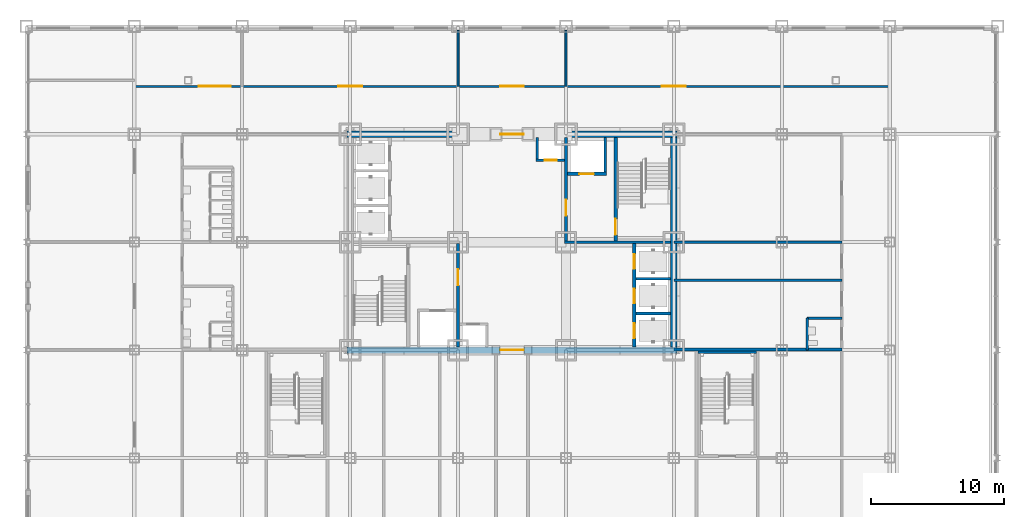
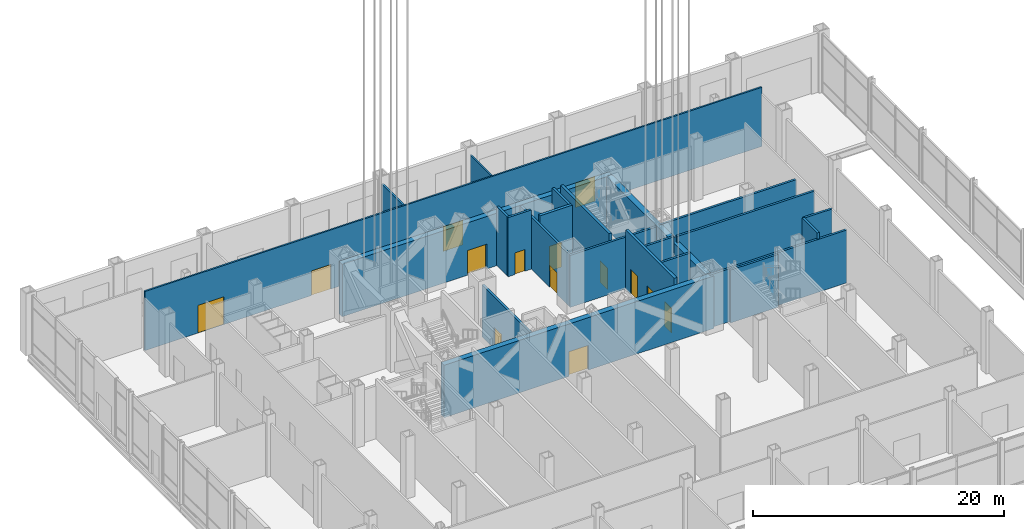
# One storey, part 25 of 35: 23 walls, 14 doors, 14 openings.
"""IFC4 building model written with IfcOpenShell, lengths in metres."""

from ifc_helpers import new_model, si_unit, direction, frame, frame_2d, origin, place, context, subcontext, project, spatial, rectangle, extrude, material, layer, layer_set, type_object, element, fill, save


model = new_model("IFC4")

# Units and contexts
model_context = context("Model", 3, precision=1e-05, world=origin(), true_north=direction((0.0, 1.0)))
body_context = subcontext(model_context, "Body", "Model", "MODEL_VIEW")
ifc_project = project(units=[si_unit("LENGTHUNIT", "METRE"), si_unit("AREAUNIT", "SQUARE_METRE"), si_unit("VOLUMEUNIT", "CUBIC_METRE"), si_unit("PLANEANGLEUNIT", "RADIAN"), si_unit("MASSUNIT", "GRAM", prefix="KILO")], contexts=[model_context])

# Site, building, storey
site_placement = place(None, origin())
site = spatial("IfcSite", under=ifc_project, at=site_placement, CompositionType="ELEMENT")
building_placement = place(site_placement, origin())
building = spatial("IfcBuilding", under=site, at=building_placement, Name="Kopane Lantern Tower", CompositionType="ELEMENT")
storey_placement = place(building_placement, origin())
storey = spatial("IfcBuildingStorey", under=building, at=storey_placement, Name="L00", CompositionType="ELEMENT", Elevation=0.0)

# Wall, opening, door
ifc_material_1 = material(Name="Gypsum shaft wall EI 120", Category="gypsum")
ifc_layer_1 = layer(ifc_material_1, 0.5)
ifc_layer_set_1 = layer_set([ifc_layer_1], Name="CORE PERIMETER WALL 500 EI 120")
wall_type_1 = type_object("IfcWallType", Name="CORE PERIMETER WALL 500 EI 120", PredefinedType="SOLIDWALL", material=ifc_layer_set_1)
wall_1_placement = place(storey_placement, frame((15.949951171875, 24.300048828125, 0.0), z_axis=(0.0, 0.0, 1.0), x_axis=(1.0, 0.0, 0.0)))
wall_1 = element("IfcWall", 1, at=wall_1_placement, inside=storey, type_object=wall_type_1, Name="Core shaft wall L00 PS", PredefinedType="SOLIDWALL", context=body_context, shape_type="SweptSolid", body=[
    extrude(rectangle(XDim=24.800048828125, YDim=0.5, at=frame_2d((12.39990234375, 0.0))), origin(), (0.0, 0.0, 1.0), 5.10009765625),
])
opening_1_placement = place(wall_1_placement, frame((11.5, 0.0, 0.0)))
opening_1 = element("IfcOpeningElement", 2, at=opening_1_placement, cuts=wall_1, Name="Opening 00.CE-S", PredefinedType="OPENING", context=body_context, shape_type="SweptSolid", body=[
    extrude(rectangle(XDim=1.800048828125, YDim=2.39990234375, at=frame_2d((0.89990234375, 1.199951171875))), frame((0.0, 0.260009765625, 0.0), z_axis=(0.0, -1.0, 0.0), x_axis=(1.0, 0.0, 0.0)), (0.0, 0.0, 1.0), 0.52001953125),
])
ifc_material_2 = material(Name="Steel door set", Category="steel")
door_type_1 = type_object("IfcDoorType", Name="CORE ENTRY DOOR 1800x2400 FD60S", OperationType="DOUBLE_DOOR_SINGLE_SWING", PredefinedType="DOOR", material=ifc_material_2)
door_1_placement = place(opening_1_placement, origin())
door_1 = element("IfcDoor", 3, at=door_1_placement, inside=storey, type_object=door_type_1, Name="Core entry door L00 south", OperationType="DOUBLE_DOOR_SINGLE_SWING", OverallHeight=2.39990234375, OverallWidth=1.800048828125, PredefinedType="DOOR", context=body_context, shape_type="SweptSolid", body=[
    extrude(rectangle(XDim=1.800048828125, YDim=2.39990234375, at=frame_2d((0.89990234375, 1.199951171875))), frame((0.0, 0.02490234375, 0.0), z_axis=(0.0, -1.0, 0.0), x_axis=(1.0, 0.0, 0.0)), (0.0, 0.0, 1.0), 0.050048828125),
])
fill(opening_1, door_1)

wall_2_placement = place(storey_placement, frame((15.949951171875, 40.5, 0.0), z_axis=(0.0, 0.0, 1.0), x_axis=(1.0, 0.0, 0.0)))
wall_2 = element("IfcWall", 4, at=wall_2_placement, inside=storey, type_object=wall_type_1, Name="Core shaft wall L00 PN", PredefinedType="SOLIDWALL", context=body_context, shape_type="SweptSolid", body=[
    extrude(rectangle(XDim=24.800048828125, YDim=0.5, at=frame_2d((12.39990234375, 0.0))), origin(), (0.0, 0.0, 1.0), 5.10009765625),
])
opening_2_placement = place(wall_2_placement, frame((11.5, 0.0, 0.0)))
opening_2 = element("IfcOpeningElement", 5, at=opening_2_placement, cuts=wall_2, Name="Opening 00.CE-N", PredefinedType="OPENING", context=body_context, shape_type="SweptSolid", body=[
    extrude(rectangle(XDim=1.800048828125, YDim=2.39990234375, at=frame_2d((0.89990234375, 1.199951171875))), frame((0.0, 0.260009765625, 0.0), z_axis=(0.0, -1.0, 0.0), x_axis=(1.0, 0.0, 0.0)), (0.0, 0.0, 1.0), 0.52001953125),
])
door_2_placement = place(opening_2_placement, origin())
door_2 = element("IfcDoor", 6, at=door_2_placement, inside=storey, type_object=door_type_1, Name="Core entry door L00 north", OperationType="DOUBLE_DOOR_SINGLE_SWING", OverallHeight=2.39990234375, OverallWidth=1.800048828125, PredefinedType="DOOR", context=body_context, shape_type="SweptSolid", body=[
    extrude(rectangle(XDim=1.800048828125, YDim=2.39990234375, at=frame_2d((0.89990234375, 1.199951171875))), frame((0.0, 0.02490234375, 0.0), z_axis=(0.0, -1.0, 0.0), x_axis=(1.0, 0.0, 0.0)), (0.0, 0.0, 1.0), 0.050048828125),
])
fill(opening_2, door_2)

# Wall
wall_3_placement = place(storey_placement, frame((40.5, 24.550048828125, 0.0), z_axis=(0.0, 0.0, 1.0), x_axis=(0.0, 1.0, 0.0)))
element("IfcWall", 7, at=wall_3_placement, inside=storey, type_object=wall_type_1, Name="Core shaft wall L00 PE", PredefinedType="SOLIDWALL", context=body_context, shape_type="SweptSolid", body=[
    extrude(rectangle(XDim=15.699951171875, YDim=0.5, at=frame_2d((7.85009765625, 0.0))), origin(), (0.0, 0.0, 1.0), 5.1376953125),
])

# Wall, openings, doors
ifc_material_3 = material(Name="Gypsum shaft wall EI 120", Category="gypsum")
ifc_layer_2 = layer(ifc_material_3, 0.25)
ifc_layer_set_2 = layer_set([ifc_layer_2], Name="CORE SHAFT WALL 250 EI 120")
wall_type_2 = type_object("IfcWallType", Name="CORE SHAFT WALL 250 EI 120", PredefinedType="SOLIDWALL", material=ifc_layer_set_2)
wall_4_placement = place(storey_placement, frame((37.52490234375, 24.550048828125, 0.0), z_axis=(0.0, 0.0, 1.0), x_axis=(0.0, 1.0, 0.0)))
wall_4 = element("IfcWall", 8, at=wall_4_placement, inside=storey, type_object=wall_type_2, Name="Core shaft wall L00 XLR", PredefinedType="SOLIDWALL", context=body_context, shape_type="SweptSolid", body=[
    extrude(rectangle(XDim=7.75, YDim=0.25, at=frame_2d((3.875, 0.0))), origin(), (0.0, 0.0, 1.0), 5.75),
])
opening_3_placement = place(wall_4_placement, frame((0.64990234375, 0.0, 0.0)))
opening_3 = element("IfcOpeningElement", 9, at=opening_3_placement, cuts=wall_4, Name="Opening 00.LD-LR1", PredefinedType="OPENING", context=body_context, shape_type="SweptSolid", body=[
    extrude(rectangle(XDim=1.10009765625, YDim=2.39990234375, at=frame_2d((0.550048828125, 1.199951171875))), frame((0.0, 0.135009765625, 0.0), z_axis=(0.0, -1.0, 0.0), x_axis=(1.0, 0.0, 0.0)), (0.0, 0.0, 1.0), 0.27001953125),
])
opening_4_placement = place(wall_4_placement, frame((3.25, 0.0, 0.0)))
opening_4 = element("IfcOpeningElement", 10, at=opening_4_placement, cuts=wall_4, Name="Opening 00.LD-LR2", PredefinedType="OPENING", context=body_context, shape_type="SweptSolid", body=[
    extrude(rectangle(XDim=1.10009765625, YDim=2.39990234375, at=frame_2d((0.550048828125, 1.199951171875))), frame((0.0, 0.135009765625, 0.0), z_axis=(0.0, -1.0, 0.0), x_axis=(1.0, 0.0, 0.0)), (0.0, 0.0, 1.0), 0.27001953125),
])
opening_5_placement = place(wall_4_placement, frame((5.85009765625, 0.0, 0.0)))
opening_5 = element("IfcOpeningElement", 11, at=opening_5_placement, cuts=wall_4, Name="Opening 00.LD-LR3", PredefinedType="OPENING", context=body_context, shape_type="SweptSolid", body=[
    extrude(rectangle(XDim=1.10009765625, YDim=2.39990234375, at=frame_2d((0.550048828125, 1.199951171875))), frame((0.0, 0.135009765625, 0.0), z_axis=(0.0, -1.0, 0.0), x_axis=(1.0, 0.0, 0.0)), (0.0, 0.0, 1.0), 0.27001953125),
])
ifc_material_4 = material(Name="Steel door set", Category="steel")
door_type_2 = type_object("IfcDoorType", Name="LIFT LANDING DOOR 1100x2400 FD60", OperationType="DOUBLE_DOOR_SLIDING", PredefinedType="DOOR", material=ifc_material_4)
door_3_placement = place(opening_3_placement, origin())
door_3 = element("IfcDoor", 12, at=door_3_placement, inside=storey, type_object=door_type_2, Name="Landing door LR1 L00", OperationType="DOUBLE_DOOR_SLIDING", OverallHeight=2.39990234375, OverallWidth=1.10009765625, PredefinedType="DOOR", context=body_context, shape_type="SweptSolid", body=[
    extrude(rectangle(XDim=1.10009765625, YDim=2.39990234375, at=frame_2d((0.550048828125, 1.199951171875))), frame((0.0, 0.02490234375, 0.0), z_axis=(0.0, -1.0, 0.0), x_axis=(1.0, 0.0, 0.0)), (0.0, 0.0, 1.0), 0.050048828125),
])
fill(opening_3, door_3)
door_4_placement = place(opening_4_placement, origin())
door_4 = element("IfcDoor", 13, at=door_4_placement, inside=storey, type_object=door_type_2, Name="Landing door LR2 L00", OperationType="DOUBLE_DOOR_SLIDING", OverallHeight=2.39990234375, OverallWidth=1.10009765625, PredefinedType="DOOR", context=body_context, shape_type="SweptSolid", body=[
    extrude(rectangle(XDim=1.10009765625, YDim=2.39990234375, at=frame_2d((0.550048828125, 1.199951171875))), frame((0.0, 0.02490234375, 0.0), z_axis=(0.0, -1.0, 0.0), x_axis=(1.0, 0.0, 0.0)), (0.0, 0.0, 1.0), 0.050048828125),
])
fill(opening_4, door_4)
door_5_placement = place(opening_5_placement, origin())
door_5 = element("IfcDoor", 14, at=door_5_placement, inside=storey, type_object=door_type_2, Name="Landing door LR3 L00", OperationType="DOUBLE_DOOR_SLIDING", OverallHeight=2.39990234375, OverallWidth=1.10009765625, PredefinedType="DOOR", context=body_context, shape_type="SweptSolid", body=[
    extrude(rectangle(XDim=1.10009765625, YDim=2.39990234375, at=frame_2d((0.550048828125, 1.199951171875))), frame((0.0, 0.02490234375, 0.0), z_axis=(0.0, -1.0, 0.0), x_axis=(1.0, 0.0, 0.0)), (0.0, 0.0, 1.0), 0.050048828125),
])
fill(opening_5, door_5)

# Wall, opening, door
wall_5_placement = place(storey_placement, frame((36.125, 32.5, 0.0), z_axis=(0.0, 0.0, 1.0), x_axis=(0.0, 1.0, 0.0)))
wall_5 = element("IfcWall", 15, at=wall_5_placement, inside=storey, type_object=wall_type_2, Name="Core shaft wall L00 XST2", PredefinedType="SOLIDWALL", context=body_context, shape_type="SweptSolid", body=[
    extrude(rectangle(XDim=7.75, YDim=0.25, at=frame_2d((3.875, 0.0))), origin(), (0.0, 0.0, 1.0), 5.75),
])
opening_6_placement = place(wall_5_placement, frame((0.449951171875, 0.0, 0.0)))
opening_6 = element("IfcOpeningElement", 16, at=opening_6_placement, cuts=wall_5, Name="Opening 00.SD2", PredefinedType="OPENING", context=body_context, shape_type="SweptSolid", body=[
    extrude(rectangle(XDim=1.199951171875, YDim=2.10009765625, at=frame_2d((0.60009765625, 1.050048828125))), frame((0.0, 0.135009765625, 0.0), z_axis=(0.0, -1.0, 0.0), x_axis=(1.0, 0.0, 0.0)), (0.0, 0.0, 1.0), 0.27001953125),
])
ifc_material_5 = material(Name="Steel door set", Category="steel")
door_type_3 = type_object("IfcDoorType", Name="STAIR DOOR 1200x2100 FD60S", OperationType="SINGLE_SWING_LEFT", PredefinedType="DOOR", material=ifc_material_5)
door_6_placement = place(opening_6_placement, origin())
door_6 = element("IfcDoor", 17, at=door_6_placement, inside=storey, type_object=door_type_3, Name="Stair door ST2 L00", OperationType="SINGLE_SWING_RIGHT", OverallHeight=2.10009765625, OverallWidth=1.199951171875, PredefinedType="DOOR", context=body_context, shape_type="SweptSolid", body=[
    extrude(rectangle(XDim=1.199951171875, YDim=2.10009765625, at=frame_2d((0.60009765625, 1.050048828125))), frame((0.0, 0.02490234375, 0.0), z_axis=(0.0, -1.0, 0.0), x_axis=(1.0, 0.0, 0.0)), (0.0, 0.0, 1.0), 0.050048828125),
])
fill(opening_6, door_6)

wall_6_placement = place(storey_placement, frame((32.5, 37.52490234375, 0.0), z_axis=(0.0, 0.0, 1.0), x_axis=(1.0, 0.0, 0.0)))
wall_6 = element("IfcWall", 18, at=wall_6_placement, inside=storey, type_object=wall_type_2, Name="Core shaft wall L00 YLF2", PredefinedType="SOLIDWALL", context=body_context, shape_type="SweptSolid", body=[
    extrude(rectangle(XDim=2.949951171875, YDim=0.25, at=frame_2d((1.47509765625, 0.0))), origin(), (0.0, 0.0, 1.0), 5.75),
])
opening_7_placement = place(wall_6_placement, frame((0.89990234375, 0.0, 0.0)))
opening_7 = element("IfcOpeningElement", 19, at=opening_7_placement, cuts=wall_6, Name="Opening 00.LD-LF2", PredefinedType="OPENING", context=body_context, shape_type="SweptSolid", body=[
    extrude(rectangle(XDim=1.10009765625, YDim=2.39990234375, at=frame_2d((0.550048828125, 1.199951171875))), frame((0.0, 0.135009765625, 0.0), z_axis=(0.0, -1.0, 0.0), x_axis=(1.0, 0.0, 0.0)), (0.0, 0.0, 1.0), 0.27001953125),
])
door_7_placement = place(opening_7_placement, origin())
door_7 = element("IfcDoor", 20, at=door_7_placement, inside=storey, type_object=door_type_2, Name="Landing door LF2 L00", OperationType="DOUBLE_DOOR_SLIDING", OverallHeight=2.39990234375, OverallWidth=1.10009765625, PredefinedType="DOOR", context=body_context, shape_type="SweptSolid", body=[
    extrude(rectangle(XDim=1.10009765625, YDim=2.39990234375, at=frame_2d((0.550048828125, 1.199951171875))), frame((0.0, 0.02490234375, 0.0), z_axis=(0.0, -1.0, 0.0), x_axis=(1.0, 0.0, 0.0)), (0.0, 0.0, 1.0), 0.050048828125),
])
fill(opening_7, door_7)

# Wall, openings, doors
ifc_material_6 = material(Name="Gypsum board on steel studs", Category="steel")
ifc_layer_3 = layer(ifc_material_6, 0.14990234375)
ifc_layer_set_3 = layer_set([ifc_layer_3], Name="CORRIDOR WALL 150 EI 60")
wall_type_3 = type_object("IfcWallType", Name="CORRIDOR WALL 150 EI 60", PredefinedType="PARTITIONING", material=ifc_layer_set_3)
wall_7_placement = place(storey_placement, frame((0.0, 44.10009765625, 0.0), z_axis=(0.0, 0.0, 1.0), x_axis=(1.0, 0.0, 0.0)))
wall_7 = element("IfcWall", 21, at=wall_7_placement, inside=storey, type_object=wall_type_3, Name="Corridor Wall 150 Ei 60 L00", PredefinedType="PARTITIONING", context=body_context, shape_type="SweptSolid", body=[
    extrude(rectangle(XDim=56.699951171875, YDim=0.14990234375, at=frame_2d((28.35009765625, 0.0))), origin(), (0.0, 0.0, 1.0), 5.75),
])
opening_8_placement = place(wall_7_placement, frame((15.300048828125, 0.0, 0.0)))
opening_8 = element("IfcOpeningElement", 22, at=opening_8_placement, cuts=wall_7, Name="Opening L00-020", PredefinedType="OPENING", context=body_context, shape_type="SweptSolid", body=[
    extrude(rectangle(XDim=1.800048828125, YDim=2.39990234375, at=frame_2d((0.89990234375, 1.199951171875))), frame((0.0, 0.0849609375, 0.0), z_axis=(0.0, -1.0, 0.0), x_axis=(1.0, 0.0, 0.0)), (0.0, 0.0, 1.0), 0.169921875),
])
opening_9_placement = place(wall_7_placement, frame((27.449951171875, 0.0, 0.0)))
opening_9 = element("IfcOpeningElement", 23, at=opening_9_placement, cuts=wall_7, Name="Opening L00-021", PredefinedType="OPENING", context=body_context, shape_type="SweptSolid", body=[
    extrude(rectangle(XDim=1.800048828125, YDim=2.39990234375, at=frame_2d((0.89990234375, 1.199951171875))), frame((0.0, 0.0849609375, 0.0), z_axis=(0.0, -1.0, 0.0), x_axis=(1.0, 0.0, 0.0)), (0.0, 0.0, 1.0), 0.169921875),
])
opening_10_placement = place(wall_7_placement, frame((39.60009765625, 0.0, 0.0)))
opening_10 = element("IfcOpeningElement", 24, at=opening_10_placement, cuts=wall_7, Name="Opening L00-022", PredefinedType="OPENING", context=body_context, shape_type="SweptSolid", body=[
    extrude(rectangle(XDim=1.800048828125, YDim=2.39990234375, at=frame_2d((0.89990234375, 1.199951171875))), frame((0.0, 0.0849609375, 0.0), z_axis=(0.0, -1.0, 0.0), x_axis=(1.0, 0.0, 0.0)), (0.0, 0.0, 1.0), 0.169921875),
])
opening_11_placement = place(wall_7_placement, frame((4.85009765625, 0.0, 0.0)))
opening_11 = element("IfcOpeningElement", 25, at=opening_11_placement, cuts=wall_7, Name="Opening L00-029", PredefinedType="OPENING", context=body_context, shape_type="SweptSolid", body=[
    extrude(rectangle(XDim=2.39990234375, YDim=2.699951171875, at=frame_2d((1.199951171875, 1.35009765625))), frame((0.0, 0.0849609375, 0.0), z_axis=(0.0, -1.0, 0.0), x_axis=(1.0, 0.0, 0.0)), (0.0, 0.0, 1.0), 0.169921875),
])
ifc_material_7 = material(Name="Steel door set", Category="steel")
door_type_4 = type_object("IfcDoorType", Name="DOOR D6 1800x2400 FD30S", OperationType="SINGLE_SWING_LEFT", PredefinedType="DOOR", material=ifc_material_7)
door_8_placement = place(opening_8_placement, origin())
door_8 = element("IfcDoor", 26, at=door_8_placement, inside=storey, type_object=door_type_4, Name="Door L00-020", OperationType="DOUBLE_DOOR_SINGLE_SWING", OverallHeight=2.39990234375, OverallWidth=1.800048828125, PredefinedType="DOOR", context=body_context, shape_type="SweptSolid", body=[
    extrude(rectangle(XDim=1.800048828125, YDim=2.39990234375, at=frame_2d((0.89990234375, 1.199951171875))), frame((0.0, 0.02490234375, 0.0), z_axis=(0.0, -1.0, 0.0), x_axis=(1.0, 0.0, 0.0)), (0.0, 0.0, 1.0), 0.050048828125),
])
fill(opening_8, door_8)
ifc_material_8 = material(Name="Timber door set", Category="wood")
door_type_5 = type_object("IfcDoorType", Name="DOOR D7 2400x2700 SHOPFRONT", OperationType="SINGLE_SWING_LEFT", PredefinedType="DOOR", material=ifc_material_8)
door_9_placement = place(opening_11_placement, origin())
door_9 = element("IfcDoor", 27, at=door_9_placement, inside=storey, type_object=door_type_5, Name="Door L00-029", OperationType="DOUBLE_DOOR_SINGLE_SWING", OverallHeight=2.699951171875, OverallWidth=2.39990234375, PredefinedType="DOOR", context=body_context, shape_type="SweptSolid", body=[
    extrude(rectangle(XDim=2.39990234375, YDim=2.699951171875, at=frame_2d((1.199951171875, 1.35009765625))), frame((0.0, 0.02490234375, 0.0), z_axis=(0.0, -1.0, 0.0), x_axis=(1.0, 0.0, 0.0)), (0.0, 0.0, 1.0), 0.050048828125),
])
fill(opening_11, door_9)
ifc_material_9 = material(Name="Steel door set", Category="steel")
door_type_6 = type_object("IfcDoorType", Name="DOOR D8 1800x2400 FD120", OperationType="SINGLE_SWING_LEFT", PredefinedType="DOOR", material=ifc_material_9)
door_10_placement = place(opening_9_placement, origin())
door_10 = element("IfcDoor", 28, at=door_10_placement, inside=storey, type_object=door_type_6, Name="Door L00-021", OperationType="DOUBLE_DOOR_SINGLE_SWING", OverallHeight=2.39990234375, OverallWidth=1.800048828125, PredefinedType="DOOR", context=body_context, shape_type="SweptSolid", body=[
    extrude(rectangle(XDim=1.800048828125, YDim=2.39990234375, at=frame_2d((0.89990234375, 1.199951171875))), frame((0.0, 0.02490234375, 0.0), z_axis=(0.0, -1.0, 0.0), x_axis=(1.0, 0.0, 0.0)), (0.0, 0.0, 1.0), 0.050048828125),
])
fill(opening_9, door_10)
door_11_placement = place(opening_10_placement, origin())
door_11 = element("IfcDoor", 29, at=door_11_placement, inside=storey, type_object=door_type_6, Name="Door L00-022", OperationType="DOUBLE_DOOR_SINGLE_SWING", OverallHeight=2.39990234375, OverallWidth=1.800048828125, PredefinedType="DOOR", context=body_context, shape_type="SweptSolid", body=[
    extrude(rectangle(XDim=1.800048828125, YDim=2.39990234375, at=frame_2d((0.89990234375, 1.199951171875))), frame((0.0, 0.02490234375, 0.0), z_axis=(0.0, -1.0, 0.0), x_axis=(1.0, 0.0, 0.0)), (0.0, 0.0, 1.0), 0.050048828125),
])
fill(opening_10, door_11)

# Walls
ifc_material_10 = material(Name="Gypsum board on steel studs", Category="steel")
ifc_layer_4 = layer(ifc_material_10, 0.14990234375)
ifc_layer_set_4 = layer_set([ifc_layer_4], Name="DEMISING WALL 150 EI 60")
wall_type_4 = type_object("IfcWallType", Name="DEMISING WALL 150 EI 60", PredefinedType="PARTITIONING", material=ifc_layer_set_4)
for number, where, z_axis, x_axis, name in (
    (30, (24.300048828125, 44.10009765625, 0.0), (0.0, 0.0, 1.0), (0.0, 1.0, 0.0), "Demising Wall 150 Ei 60 L00"),
    (31, (32.39990234375, 44.10009765625, 0.0), (0.0, 0.0, 1.0), (0.0, 1.0, 0.0), "Demising Wall 150 Ei 60 L00"),
):
    element("IfcWall", number, at=place(storey_placement, frame(where, z_axis=z_axis, x_axis=x_axis)), inside=storey, type_object=wall_type_4, Name=name, PredefinedType="PARTITIONING", context=body_context, shape_type="SweptSolid", body=[
        extrude(rectangle(XDim=4.199951171875, YDim=0.14990234375, at=frame_2d((2.10009765625, 0.0))), origin(), (0.0, 0.0, 1.0), 5.1376953125),
    ])
ifc_material_11 = material(Name="Concrete masonry", Category="masonry")
ifc_layer_5 = layer(ifc_material_11, 0.199951171875)
ifc_layer_set_5 = layer_set([ifc_layer_5], Name="PLANT ROOM WALL 200 EI 120")
wall_type_5 = type_object("IfcWallType", Name="PLANT ROOM WALL 200 EI 120", PredefinedType="SOLIDWALL", material=ifc_layer_set_5)
wall_8_placement = place(storey_placement, frame((40.5, 32.39990234375, 0.0), z_axis=(0.0, 0.0, 1.0), x_axis=(1.0, 0.0, 0.0)))
element("IfcWall", 32, at=wall_8_placement, inside=storey, type_object=wall_type_5, Name="Plant Room Wall 200 Ei 120 L00", PredefinedType="SOLIDWALL", context=body_context, shape_type="SweptSolid", body=[
    extrude(rectangle(XDim=12.60009765625, YDim=0.199951171875, at=frame_2d((6.300048828125, 0.0))), origin(), (0.0, 0.0, 1.0), 5.1376953125),
])
wall_9_placement = place(storey_placement, frame((53.10009765625, 26.699951171875, 0.0), z_axis=(0.0, 0.0, 1.0), x_axis=(-1.0, 0.0, 0.0)))
element("IfcWall", 33, at=wall_9_placement, inside=storey, type_object=wall_type_5, Name="Plant Room Wall 200 Ei 120 L00", PredefinedType="SOLIDWALL", context=body_context, shape_type="SweptSolid", body=[
    extrude(rectangle(XDim=2.60009765625, YDim=0.199951171875, at=frame_2d((1.300048828125, 0.0))), origin(), (0.0, 0.0, 1.0), 5.75),
])
wall_10_placement = place(storey_placement, frame((50.5, 24.300048828125, 0.0), z_axis=(0.0, 0.0, 1.0), x_axis=(0.0, 1.0, 0.0)))
element("IfcWall", 34, at=wall_10_placement, inside=storey, type_object=wall_type_5, Name="Plant Room Wall 200 Ei 120 L00", PredefinedType="SOLIDWALL", context=body_context, shape_type="SweptSolid", body=[
    extrude(rectangle(XDim=2.39990234375, YDim=0.199951171875, at=frame_2d((1.199951171875, 0.0))), origin(), (0.0, 0.0, 1.0), 5.75),
])
wall_11_placement = place(storey_placement, frame((53.10009765625, 29.550048828125, 0.0), z_axis=(0.0, 0.0, 1.0), x_axis=(-1.0, 0.0, 0.0)))
element("IfcWall", 35, at=wall_11_placement, inside=storey, type_object=wall_type_5, Name="Plant Room Wall 200 Ei 120 L00", PredefinedType="SOLIDWALL", context=body_context, shape_type="SweptSolid", body=[
    extrude(rectangle(XDim=12.60009765625, YDim=0.199951171875, at=frame_2d((6.300048828125, 0.0))), origin(), (0.0, 0.0, 1.0), 5.75),
])
wall_12_placement = place(storey_placement, frame((40.5, 24.35009765625, 0.0), z_axis=(0.0, 0.0, 1.0), x_axis=(1.0, 0.0, 0.0)))
element("IfcWall", 36, at=wall_12_placement, inside=storey, type_object=wall_type_5, Name="Plant Room Wall 200 Ei 120 L00", PredefinedType="SOLIDWALL", context=body_context, shape_type="SweptSolid", body=[
    extrude(rectangle(XDim=12.60009765625, YDim=0.199951171875, at=frame_2d((6.300048828125, 0.0))), origin(), (0.0, 0.0, 1.0), 5.1376953125),
])

# Wall, opening, door
ifc_material_12 = material(Name="Gypsum shaft wall EI 120", Category="gypsum")
ifc_layer_6 = layer(ifc_material_12, 0.199951171875)
ifc_layer_set_6 = layer_set([ifc_layer_6], Name="SHAFT WALL 200 EI 120")
wall_type_6 = type_object("IfcWallType", Name="SHAFT WALL 200 EI 120", PredefinedType="SOLIDWALL", material=ifc_layer_set_6)
wall_13_placement = place(storey_placement, frame((24.300048828125, 24.550048828125, 0.0), z_axis=(0.0, 0.0, 1.0), x_axis=(0.0, 1.0, 0.0)))
wall_13 = element("IfcWall", 37, at=wall_13_placement, inside=storey, type_object=wall_type_6, Name="Core shaft wall L00 X243", PredefinedType="SOLIDWALL", context=body_context, shape_type="SweptSolid", body=[
    extrude(rectangle(XDim=7.75, YDim=0.199951171875, at=frame_2d((3.875, 0.0))), origin(), (0.0, 0.0, 1.0), 5.050048828125),
])
opening_12_placement = place(wall_13_placement, frame((4.60009765625, 0.0, 0.0)))
opening_12 = element("IfcOpeningElement", 38, at=opening_12_placement, cuts=wall_13, Name="Opening 00.FL1", PredefinedType="OPENING", context=body_context, shape_type="SweptSolid", body=[
    extrude(rectangle(XDim=1.199951171875, YDim=2.10009765625, at=frame_2d((0.60009765625, 1.050048828125))), frame((0.0, 0.10986328125, 0.0), z_axis=(0.0, -1.0, 0.0), x_axis=(1.0, 0.0, 0.0)), (0.0, 0.0, 1.0), 0.219970703125),
])
ifc_material_13 = material(Name="Steel door set", Category="steel")
door_type_7 = type_object("IfcDoorType", Name="FIREFIGHTING LOBBY DOOR 1200x2100 FD60S", OperationType="SINGLE_SWING_RIGHT", PredefinedType="DOOR", material=ifc_material_13)
door_12_placement = place(opening_12_placement, origin())
door_12 = element("IfcDoor", 39, at=door_12_placement, inside=storey, type_object=door_type_7, Name="Firefighting lobby door FL1 L00", OperationType="SINGLE_SWING_LEFT", OverallHeight=2.10009765625, OverallWidth=1.199951171875, PredefinedType="DOOR", context=body_context, shape_type="SweptSolid", body=[
    extrude(rectangle(XDim=1.199951171875, YDim=2.10009765625, at=frame_2d((0.60009765625, 1.050048828125))), frame((0.0, 0.02490234375, 0.0), z_axis=(0.0, -1.0, 0.0), x_axis=(1.0, 0.0, 0.0)), (0.0, 0.0, 1.0), 0.050048828125),
])
fill(opening_12, door_12)

# Wall
wall_14_placement = place(storey_placement, frame((32.300048828125, 32.39990234375, 0.0), z_axis=(0.0, 0.0, 1.0), x_axis=(1.0, 0.0, 0.0)))
element("IfcWall", 40, at=wall_14_placement, inside=storey, type_object=wall_type_6, Name="Core shaft wall L00 Y324E", PredefinedType="SOLIDWALL", context=body_context, shape_type="SweptSolid", body=[
    extrude(rectangle(XDim=7.949951171875, YDim=0.199951171875, at=frame_2d((3.97509765625, 0.0))), origin(), (0.0, 0.0, 1.0), 5.050048828125),
])

# Wall, opening, door
wall_15_placement = place(storey_placement, frame((32.39990234375, 32.5, 0.0), z_axis=(0.0, 0.0, 1.0), x_axis=(0.0, 1.0, 0.0)))
wall_15 = element("IfcWall", 41, at=wall_15_placement, inside=storey, type_object=wall_type_6, Name="Core shaft wall L00 X324", PredefinedType="SOLIDWALL", context=body_context, shape_type="SweptSolid", body=[
    extrude(rectangle(XDim=7.75, YDim=0.199951171875, at=frame_2d((3.875, 0.0))), origin(), (0.0, 0.0, 1.0), 5.050048828125),
])
opening_13_placement = place(wall_15_placement, frame((1.89990234375, 0.0, 0.0)))
opening_13 = element("IfcOpeningElement", 42, at=opening_13_placement, cuts=wall_15, Name="Opening 00.FL2", PredefinedType="OPENING", context=body_context, shape_type="SweptSolid", body=[
    extrude(rectangle(XDim=1.199951171875, YDim=2.10009765625, at=frame_2d((0.60009765625, 1.050048828125))), frame((0.0, 0.10986328125, 0.0), z_axis=(0.0, -1.0, 0.0), x_axis=(1.0, 0.0, 0.0)), (0.0, 0.0, 1.0), 0.219970703125),
])
door_13_placement = place(opening_13_placement, origin())
door_13 = element("IfcDoor", 43, at=door_13_placement, inside=storey, type_object=door_type_7, Name="Firefighting lobby door FL2 L00", OperationType="SINGLE_SWING_LEFT", OverallHeight=2.10009765625, OverallWidth=1.199951171875, PredefinedType="DOOR", context=body_context, shape_type="SweptSolid", body=[
    extrude(rectangle(XDim=1.199951171875, YDim=2.10009765625, at=frame_2d((0.60009765625, 1.050048828125))), frame((0.0, 0.02490234375, 0.0), z_axis=(0.0, -1.0, 0.0), x_axis=(1.0, 0.0, 0.0)), (0.0, 0.0, 1.0), 0.050048828125),
])
fill(opening_13, door_13)

# Walls
for number, where, z_axis, x_axis, name in (
    (44, (37.64990234375, 27.050048828125, 0.0), (0.0, 0.0, 1.0), (1.0, 0.0, 0.0), "Core shaft wall L00 YLR12"),
    (45, (37.64990234375, 29.64990234375, 0.0), (0.0, 0.0, 1.0), (1.0, 0.0, 0.0), "Core shaft wall L00 YLR23"),
    (46, (35.35009765625, 37.64990234375, 0.0), (0.0, 0.0, 1.0), (0.0, 1.0, 0.0), "Core shaft wall L00 XLF2"),
):
    element("IfcWall", number, at=place(storey_placement, frame(where, z_axis=z_axis, x_axis=x_axis)), inside=storey, type_object=wall_type_6, Name=name, PredefinedType="SOLIDWALL", context=body_context, shape_type="SweptSolid", body=[
        extrude(rectangle(XDim=2.60009765625, YDim=0.199951171875, at=frame_2d((1.300048828125, 0.0))), origin(), (0.0, 0.0, 1.0), 5.75),
    ])
wall_16_placement = place(storey_placement, frame((30.25, 38.64990234375, 0.0), z_axis=(0.0, 0.0, 1.0), x_axis=(0.0, 1.0, 0.0)))
element("IfcWall", 47, at=wall_16_placement, inside=storey, type_object=wall_type_6, Name="Core shaft wall L00 XRS2", PredefinedType="SOLIDWALL", context=body_context, shape_type="SweptSolid", body=[
    extrude(rectangle(XDim=1.60009765625, YDim=0.199951171875, at=frame_2d((0.800048828125, 0.0))), origin(), (0.0, 0.0, 1.0), 5.75),
])

# Wall, opening, door
wall_17_placement = place(storey_placement, frame((30.14990234375, 38.550048828125, 0.0), z_axis=(0.0, 0.0, 1.0), x_axis=(1.0, 0.0, 0.0)))
wall_17 = element("IfcWall", 48, at=wall_17_placement, inside=storey, type_object=wall_type_6, Name="Core shaft wall L00 YRS2", PredefinedType="SOLIDWALL", context=body_context, shape_type="SweptSolid", body=[
    extrude(rectangle(XDim=2.150146484375, YDim=0.199951171875, at=frame_2d((1.0751953125, 0.0))), origin(), (0.0, 0.0, 1.0), 5.75),
])
opening_14_placement = place(wall_17_placement, frame((0.64990234375, 0.0, 0.0)))
opening_14 = element("IfcOpeningElement", 49, at=opening_14_placement, cuts=wall_17, Name="Opening 00.RS2", PredefinedType="OPENING", context=body_context, shape_type="SweptSolid", body=[
    extrude(rectangle(XDim=0.89990234375, YDim=2.10009765625, at=frame_2d((0.449951171875, 1.050048828125))), frame((0.0, 0.10986328125, 0.0), z_axis=(0.0, -1.0, 0.0), x_axis=(1.0, 0.0, 0.0)), (0.0, 0.0, 1.0), 0.219970703125),
])
ifc_material_14 = material(Name="Steel door set", Category="steel")
door_type_8 = type_object("IfcDoorType", Name="RISER ACCESS DOOR 900x2100 FD60", OperationType="SINGLE_SWING_LEFT", PredefinedType="DOOR", material=ifc_material_14)
door_14_placement = place(opening_14_placement, origin())
door_14 = element("IfcDoor", 50, at=door_14_placement, inside=storey, type_object=door_type_8, Name="Riser access door RS2 L00", OperationType="SINGLE_SWING_LEFT", OverallHeight=2.10009765625, OverallWidth=0.89990234375, PredefinedType="DOOR", context=body_context, shape_type="SweptSolid", body=[
    extrude(rectangle(XDim=0.89990234375, YDim=2.10009765625, at=frame_2d((0.449951171875, 1.050048828125))), frame((0.0, 0.02490234375, 0.0), z_axis=(0.0, -1.0, 0.0), x_axis=(1.0, 0.0, 0.0)), (0.0, 0.0, 1.0), 0.050048828125),
])
fill(opening_14, door_14)

# Wall
wall_18_placement = place(storey_placement, frame((42.300048828125, 24.14990234375, 0.0), z_axis=(0.0, 0.0, 1.0), x_axis=(1.0, 0.0, 0.0)))
element("IfcWall", 51, at=wall_18_placement, inside=storey, type_object=wall_type_6, Name="Stair enclosure wall ST4 L00", PredefinedType="SOLIDWALL", context=body_context, shape_type="SweptSolid", body=[
    extrude(rectangle(XDim=4.39990234375, YDim=0.199951171875, at=frame_2d((2.199951171875, 0.0))), origin(), (0.0, 0.0, 1.0), 5.1376953125),
])

save(model, "model.ifc")
